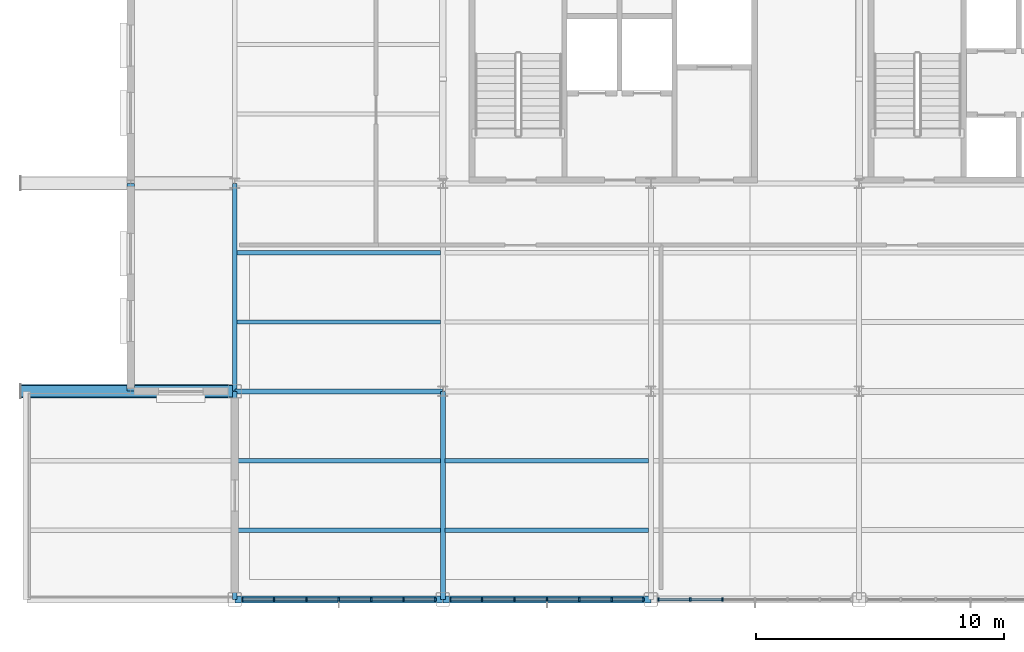
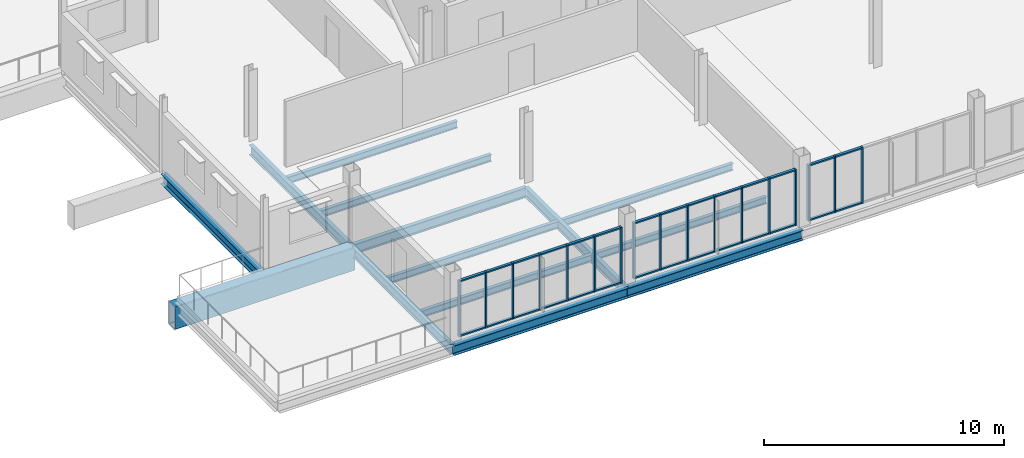
# One storey, part 4 of 18: 45 members, 14 beams, 3 elements without a shape of their own.
"""IFC4 building model written with IfcOpenShell, lengths in metres."""

from ifc_helpers import new_model, si_unit, direction, frame, origin, origin_2d, place, context, subcontext, project, spatial, rectangle, hollow_rectangle, i_section, extrude, material, layer, layer_set, material_profile, profile_set, type_object, element, aggregate, save


model = new_model("IFC4")

# Units and contexts
model_context = context("Model", 3, precision=1e-05, world=origin(), true_north=direction((0.0, 1.0)))
body_context = subcontext(model_context, "Body", "Model", "MODEL_VIEW")
ifc_project = project(units=[si_unit("LENGTHUNIT", "METRE"), si_unit("AREAUNIT", "SQUARE_METRE"), si_unit("VOLUMEUNIT", "CUBIC_METRE"), si_unit("PLANEANGLEUNIT", "RADIAN"), si_unit("MASSUNIT", "GRAM", prefix="KILO")], contexts=[model_context])

# Site, building, storey
site_placement = place(None, origin())
site = spatial("IfcSite", under=ifc_project, at=site_placement, CompositionType="ELEMENT")
building_placement = place(site_placement, origin())
building = spatial("IfcBuilding", under=site, at=building_placement, Name="Yukiwa Park Conservatory and Herbarium", CompositionType="ELEMENT")
storey_placement = place(building_placement, frame((0.0, 0.0, 21.0)))
storey = spatial("IfcBuildingStorey", under=building, at=storey_placement, Name="L05", CompositionType="ELEMENT", Elevation=21.0)

# Beams
ifc_material_1 = material(Name="Steel Q355D", Category="steel")
ifc_material_profile_1 = material_profile(ifc_material_1, i_section(OverallWidth=0.199951171875, OverallDepth=0.5, WebThickness=0.010009765625, FlangeThickness=0.01611328125, FilletRadius=0.02001953125, at=origin_2d()), Name="HN 500x200x10x16")
ifc_profile_set_1 = profile_set([ifc_material_profile_1], Name="Steel Q355D")
beam_type_1 = type_object("IfcBeamType", Name="BM-GRD-HN500", PredefinedType="BEAM", material=ifc_profile_set_1)
beam_1_placement = place(storey_placement, frame((124.805908203125, 86.39990234375, -0.550048828125), z_axis=(1.0, 0.0, 0.0), x_axis=(0.0, 1.0, 0.0)))
element("IfcBeam", 1, at=beam_1_placement, inside=storey, type_object=beam_type_1, Name="L05 grid beam X-7", PredefinedType="BEAM", context=body_context, shape_type="SweptSolid", body=[
    extrude(i_section(OverallWidth=0.199951171875, OverallDepth=0.5, WebThickness=0.010009765625, FlangeThickness=0.01611328125, FilletRadius=0.02001953125, at=origin_2d()), origin(), (0.0, 0.0, 1.0), 8.38818359375),
])
for number, where, z_axis, x_axis, name in (
    (2, (124.800048828125, 78.006103515625, -0.550048828125), (0.0, 1.0, 0.0), (-1.0, 0.0, 0.0), "L05 grid girder Y-32"),
    (3, (124.800048828125, 86.406005859375, -0.550048828125), (0.0, 1.0, 0.0), (-1.0, 0.0, 0.0), "L05 grid girder Y-33"),
    (4, (133.199951171875, 78.006103515625, -0.550048828125), (0.0, 1.0, 0.0), (-1.0, 0.0, 0.0), "L05 grid girder Y-36"),
):
    element("IfcBeam", number, at=place(storey_placement, frame(where, z_axis=z_axis, x_axis=x_axis)), inside=storey, type_object=beam_type_1, Name=name, PredefinedType="BEAM", context=body_context, shape_type="SweptSolid", body=[
        extrude(i_section(OverallWidth=0.199951171875, OverallDepth=0.5, WebThickness=0.010009765625, FlangeThickness=0.01611328125, FilletRadius=0.02001953125, at=origin_2d()), origin(), (0.0, 0.0, 1.0), 8.387939453125),
    ])
ifc_material_2 = material(Name="Steel Q355D", Category="steel")
ifc_material_profile_2 = material_profile(ifc_material_2, i_section(OverallWidth=0.175048828125, OverallDepth=0.35009765625, WebThickness=0.007080078125, FlangeThickness=0.010986328125, FilletRadius=0.013916015625, at=origin_2d()), Name="HN 350x175x7x11")
ifc_profile_set_2 = profile_set([ifc_material_profile_2], Name="Steel Q355D")
beam_type_2 = type_object("IfcBeamType", Name="BM-JST-HN350", PredefinedType="JOIST", material=ifc_profile_set_2)
for number, where, z_axis, x_axis, name in (
    (5, (124.89599609375, 80.800048828125, -0.47509765625), (1.0, 0.0, 0.0), (0.0, 1.0, 0.0), "L05 composite floor joist 5"),
    (6, (124.89599609375, 83.60009765625, -0.47509765625), (1.0, 0.0, 0.0), (0.0, 1.0, 0.0), "L05 composite floor joist 6"),
    (7, (124.89599609375, 89.199951171875, -0.47509765625), (1.0, 0.0, 0.0), (0.0, 1.0, 0.0), "L05 composite floor joist 7"),
    (8, (124.89599609375, 92.0, -0.47509765625), (1.0, 0.0, 0.0), (0.0, 1.0, 0.0), "L05 composite floor joist 8"),
    (9, (133.2958984375, 80.800048828125, -0.47509765625), (1.0, 0.0, 0.0), (0.0, 1.0, 0.0), "L05 composite floor joist 13"),
    (10, (133.2958984375, 83.60009765625, -0.47509765625), (1.0, 0.0, 0.0), (0.0, 1.0, 0.0), "L05 composite floor joist 14"),
):
    element("IfcBeam", number, at=place(storey_placement, frame(where, z_axis=z_axis, x_axis=x_axis)), inside=storey, type_object=beam_type_2, Name=name, PredefinedType="JOIST", context=body_context, shape_type="SweptSolid", body=[
        extrude(i_section(OverallWidth=0.175048828125, OverallDepth=0.35009765625, WebThickness=0.007080078125, FlangeThickness=0.010986328125, FilletRadius=0.013916015625, at=origin_2d()), origin(), (0.0, 0.0, 1.0), 8.2080078125),
    ])
ifc_material_3 = material(Name="Steel Q355D", Category="steel")
ifc_material_profile_3 = material_profile(ifc_material_3, i_section(OverallWidth=0.300048828125, OverallDepth=0.5, WebThickness=0.010986328125, FlangeThickness=0.01806640625, FilletRadius=0.02392578125, at=origin_2d()), Name="HM 500x300x11x18")
ifc_profile_set_3 = profile_set([ifc_material_profile_3], Name="Steel Q355D")
beam_type_3 = type_object("IfcBeamType", Name="BM-SPN-HN500", PredefinedType="SPANDREL", material=ifc_profile_set_3)
beam_2_placement = place(storey_placement, frame((124.805908203125, 78.0, -0.550048828125), z_axis=(1.0, 0.0, 0.0), x_axis=(0.0, 1.0, 0.0)))
element("IfcBeam", 11, at=beam_2_placement, inside=storey, type_object=beam_type_3, Name="L05 spandrel beam X-2", PredefinedType="SPANDREL", context=body_context, shape_type="SweptSolid", body=[
    extrude(i_section(OverallWidth=0.300048828125, OverallDepth=0.5, WebThickness=0.010986328125, FlangeThickness=0.01806640625, FilletRadius=0.02392578125, at=origin_2d()), origin(), (0.0, 0.0, 1.0), 8.38818359375),
])
for number, where, z_axis, x_axis, name in (
    (12, (133.2060546875, 78.0, -0.550048828125), (1.0, 0.0, 0.0), (0.0, 1.0, 0.0), "L05 spandrel beam X-3"),
    (13, (120.60009765625, 86.406005859375, -0.550048828125), (0.0, 1.0, 0.0), (-1.0, 0.0, 0.0), "L05 spandrel girder Y-30"),
):
    element("IfcBeam", number, at=place(storey_placement, frame(where, z_axis=z_axis, x_axis=x_axis)), inside=storey, type_object=beam_type_3, Name=name, PredefinedType="SPANDREL", context=body_context, shape_type="SweptSolid", body=[
        extrude(i_section(OverallWidth=0.300048828125, OverallDepth=0.5, WebThickness=0.010986328125, FlangeThickness=0.01806640625, FilletRadius=0.02392578125, at=origin_2d()), origin(), (0.0, 0.0, 1.0), 8.387939453125),
    ])
ifc_material_4 = material(Name="Steel Q355D", Category="steel")
ifc_material_profile_4 = material_profile(ifc_material_4, hollow_rectangle(XDim=0.550048828125, YDim=1.199951171875, WallThickness=0.035888671875, InnerFilletRadius=0.035888671875, OuterFilletRadius=0.072021484375, at=origin_2d()), Name="BOX 1200x550x36")
ifc_profile_set_4 = profile_set([ifc_material_profile_4], Name="Steel Q355D")
beam_type_4 = type_object("IfcBeamType", Name="BM-TG1-1200", PredefinedType="BEAM", material=ifc_profile_set_4)
beam_3_placement = place(storey_placement, frame((116.155029296875, 86.39990234375, -0.89990234375), z_axis=(1.0, 0.0, 0.0), x_axis=(0.0, 1.0, 0.0)))
element("IfcBeam", 14, at=beam_3_placement, inside=storey, type_object=beam_type_4, Name="Transfer girder TG-1.1 at L05 west setback", PredefinedType="BEAM", context=body_context, shape_type="SweptSolid", body=[
    extrude(hollow_rectangle(XDim=0.550048828125, YDim=1.199951171875, WallThickness=0.035888671875, InnerFilletRadius=0.035888671875, OuterFilletRadius=0.072021484375, at=origin_2d()), origin(), (0.0, 0.0, 1.0), 8.638916015625),
])

# Curtain wall, members
ifc_material_5 = material(Name="Triple Low-E Insulated Glass", Category="glass")
ifc_layer = layer(ifc_material_5, 0.248046875)
ifc_layer_set = layer_set([ifc_layer], Name="Triple Low-E Insulated Glass")
curtain_wall_type = type_object("IfcCurtainWallType", Name="CW-TOWER-LAB-S-1400", PredefinedType="NOTDEFINED", material=ifc_layer_set)
curtain_wall_1_placement = place(storey_placement, origin())
curtain_wall_1 = element("IfcCurtainWall", 15, at=curtain_wall_1_placement, inside=storey, type_object=curtain_wall_type, Name="L05 unitised curtain wall CW-L05-076", PredefinedType="NOTDEFINED")
ifc_material_6 = material(Name="Anodised Aluminium", Category="aluminium")
member_type_1 = type_object("IfcMemberType", Name="MB-CW-MUL-70X150", PredefinedType="MULLION", material=ifc_material_6)
member_1_placement = place(storey_placement, frame((125.110107421875, 78.0, 0.0), z_axis=(0.0, 0.0, 1.0), x_axis=(1.0, 0.0, 0.0)))
member_1 = element("IfcMember", 16, at=member_1_placement, type_object=member_type_1, Name="CW-L05-076 mullion 1", PredefinedType="MULLION", context=body_context, shape_type="SweptSolid", body=[
    extrude(rectangle(XDim=0.070068359375, YDim=0.14990234375, at=origin_2d()), origin(), (0.0, 0.0, 1.0), 2.85009765625),
])
member_2_placement = place(storey_placement, frame((126.38330078125, 78.0, 0.0), z_axis=(0.0, 0.0, 1.0), x_axis=(1.0, 0.0, 0.0)))
member_2 = element("IfcMember", 17, at=member_2_placement, type_object=member_type_1, Name="CW-L05-076 mullion 2", PredefinedType="MULLION", context=body_context, shape_type="SweptSolid", body=[
    extrude(rectangle(XDim=0.070068359375, YDim=0.14990234375, at=origin_2d()), origin(), (0.0, 0.0, 1.0), 2.85009765625),
])
member_3_placement = place(storey_placement, frame((127.691650390625, 78.0, 0.0), z_axis=(0.0, 0.0, 1.0), x_axis=(1.0, 0.0, 0.0)))
member_3 = element("IfcMember", 18, at=member_3_placement, type_object=member_type_1, Name="CW-L05-076 mullion 3", PredefinedType="MULLION", context=body_context, shape_type="SweptSolid", body=[
    extrude(rectangle(XDim=0.070068359375, YDim=0.14990234375, at=origin_2d()), origin(), (0.0, 0.0, 1.0), 2.85009765625),
])
member_4_placement = place(storey_placement, frame((129.0, 78.0, 0.0), z_axis=(0.0, 0.0, 1.0), x_axis=(1.0, 0.0, 0.0)))
member_4 = element("IfcMember", 19, at=member_4_placement, type_object=member_type_1, Name="CW-L05-076 mullion 4", PredefinedType="MULLION", context=body_context, shape_type="SweptSolid", body=[
    extrude(rectangle(XDim=0.070068359375, YDim=0.14990234375, at=origin_2d()), origin(), (0.0, 0.0, 1.0), 2.85009765625),
])
member_5_placement = place(storey_placement, frame((130.308349609375, 78.0, 0.0), z_axis=(0.0, 0.0, 1.0), x_axis=(1.0, 0.0, 0.0)))
member_5 = element("IfcMember", 20, at=member_5_placement, type_object=member_type_1, Name="CW-L05-076 mullion 5", PredefinedType="MULLION", context=body_context, shape_type="SweptSolid", body=[
    extrude(rectangle(XDim=0.070068359375, YDim=0.14990234375, at=origin_2d()), origin(), (0.0, 0.0, 1.0), 2.85009765625),
])
member_6_placement = place(storey_placement, frame((131.61669921875, 78.0, 0.0), z_axis=(0.0, 0.0, 1.0), x_axis=(1.0, 0.0, 0.0)))
member_6 = element("IfcMember", 21, at=member_6_placement, type_object=member_type_1, Name="CW-L05-076 mullion 6", PredefinedType="MULLION", context=body_context, shape_type="SweptSolid", body=[
    extrude(rectangle(XDim=0.070068359375, YDim=0.14990234375, at=origin_2d()), origin(), (0.0, 0.0, 1.0), 2.85009765625),
])
member_7_placement = place(storey_placement, frame((132.889892578125, 78.0, 0.0), z_axis=(0.0, 0.0, 1.0), x_axis=(1.0, 0.0, 0.0)))
member_7 = element("IfcMember", 22, at=member_7_placement, type_object=member_type_1, Name="CW-L05-076 mullion 7", PredefinedType="MULLION", context=body_context, shape_type="SweptSolid", body=[
    extrude(rectangle(XDim=0.070068359375, YDim=0.14990234375, at=origin_2d()), origin(), (0.0, 0.0, 1.0), 2.85009765625),
])

curtain_wall_2_placement = place(storey_placement, origin())
curtain_wall_2 = element("IfcCurtainWall", 23, at=curtain_wall_2_placement, inside=storey, type_object=curtain_wall_type, Name="L05 unitised curtain wall CW-L05-077", PredefinedType="NOTDEFINED")
member_8_placement = place(storey_placement, frame((133.510009765625, 78.0, 0.0), z_axis=(0.0, 0.0, 1.0), x_axis=(1.0, 0.0, 0.0)))
member_8 = element("IfcMember", 24, at=member_8_placement, type_object=member_type_1, Name="CW-L05-077 mullion 1", PredefinedType="MULLION", context=body_context, shape_type="SweptSolid", body=[
    extrude(rectangle(XDim=0.070068359375, YDim=0.14990234375, at=origin_2d()), origin(), (0.0, 0.0, 1.0), 2.85009765625),
])
member_9_placement = place(storey_placement, frame((134.783203125, 78.0, 0.0), z_axis=(0.0, 0.0, 1.0), x_axis=(1.0, 0.0, 0.0)))
member_9 = element("IfcMember", 25, at=member_9_placement, type_object=member_type_1, Name="CW-L05-077 mullion 2", PredefinedType="MULLION", context=body_context, shape_type="SweptSolid", body=[
    extrude(rectangle(XDim=0.070068359375, YDim=0.14990234375, at=origin_2d()), origin(), (0.0, 0.0, 1.0), 2.85009765625),
])
member_10_placement = place(storey_placement, frame((136.091796875, 78.0, 0.0), z_axis=(0.0, 0.0, 1.0), x_axis=(1.0, 0.0, 0.0)))
member_10 = element("IfcMember", 26, at=member_10_placement, type_object=member_type_1, Name="CW-L05-077 mullion 3", PredefinedType="MULLION", context=body_context, shape_type="SweptSolid", body=[
    extrude(rectangle(XDim=0.070068359375, YDim=0.14990234375, at=origin_2d()), origin(), (0.0, 0.0, 1.0), 2.85009765625),
])
member_11_placement = place(storey_placement, frame((137.39990234375, 78.0, 0.0), z_axis=(0.0, 0.0, 1.0), x_axis=(1.0, 0.0, 0.0)))
member_11 = element("IfcMember", 27, at=member_11_placement, type_object=member_type_1, Name="CW-L05-077 mullion 4", PredefinedType="MULLION", context=body_context, shape_type="SweptSolid", body=[
    extrude(rectangle(XDim=0.070068359375, YDim=0.14990234375, at=origin_2d()), origin(), (0.0, 0.0, 1.0), 2.85009765625),
])
member_12_placement = place(storey_placement, frame((138.708251953125, 78.0, 0.0), z_axis=(0.0, 0.0, 1.0), x_axis=(1.0, 0.0, 0.0)))
member_12 = element("IfcMember", 28, at=member_12_placement, type_object=member_type_1, Name="CW-L05-077 mullion 5", PredefinedType="MULLION", context=body_context, shape_type="SweptSolid", body=[
    extrude(rectangle(XDim=0.070068359375, YDim=0.14990234375, at=origin_2d()), origin(), (0.0, 0.0, 1.0), 2.85009765625),
])
member_13_placement = place(storey_placement, frame((140.0166015625, 78.0, 0.0), z_axis=(0.0, 0.0, 1.0), x_axis=(1.0, 0.0, 0.0)))
member_13 = element("IfcMember", 29, at=member_13_placement, type_object=member_type_1, Name="CW-L05-077 mullion 6", PredefinedType="MULLION", context=body_context, shape_type="SweptSolid", body=[
    extrude(rectangle(XDim=0.070068359375, YDim=0.14990234375, at=origin_2d()), origin(), (0.0, 0.0, 1.0), 2.85009765625),
])
member_14_placement = place(storey_placement, frame((141.2900390625, 78.0, 0.0), z_axis=(0.0, 0.0, 1.0), x_axis=(1.0, 0.0, 0.0)))
member_14 = element("IfcMember", 30, at=member_14_placement, type_object=member_type_1, Name="CW-L05-077 mullion 7", PredefinedType="MULLION", context=body_context, shape_type="SweptSolid", body=[
    extrude(rectangle(XDim=0.070068359375, YDim=0.14990234375, at=origin_2d()), origin(), (0.0, 0.0, 1.0), 2.85009765625),
])

curtain_wall_3_placement = place(storey_placement, origin())
curtain_wall_3 = element("IfcCurtainWall", 31, at=curtain_wall_3_placement, inside=storey, type_object=curtain_wall_type, Name="L05 unitised curtain wall CW-L05-078", PredefinedType="NOTDEFINED")
member_15_placement = place(storey_placement, frame((141.909912109375, 78.0, 0.0), z_axis=(0.0, 0.0, 1.0), x_axis=(1.0, 0.0, 0.0)))
member_15 = element("IfcMember", 32, at=member_15_placement, type_object=member_type_1, Name="CW-L05-078 mullion 1", PredefinedType="MULLION", context=body_context, shape_type="SweptSolid", body=[
    extrude(rectangle(XDim=0.070068359375, YDim=0.14990234375, at=origin_2d()), origin(), (0.0, 0.0, 1.0), 2.85009765625),
])
member_16_placement = place(storey_placement, frame((143.183349609375, 78.0, 0.0), z_axis=(0.0, 0.0, 1.0), x_axis=(1.0, 0.0, 0.0)))
member_16 = element("IfcMember", 33, at=member_16_placement, type_object=member_type_1, Name="CW-L05-078 mullion 2", PredefinedType="MULLION", context=body_context, shape_type="SweptSolid", body=[
    extrude(rectangle(XDim=0.070068359375, YDim=0.14990234375, at=origin_2d()), origin(), (0.0, 0.0, 1.0), 2.85009765625),
])
member_17_placement = place(storey_placement, frame((144.49169921875, 78.0, 0.0), z_axis=(0.0, 0.0, 1.0), x_axis=(1.0, 0.0, 0.0)))
member_17 = element("IfcMember", 34, at=member_17_placement, type_object=member_type_1, Name="CW-L05-078 mullion 3", PredefinedType="MULLION", context=body_context, shape_type="SweptSolid", body=[
    extrude(rectangle(XDim=0.070068359375, YDim=0.14990234375, at=origin_2d()), origin(), (0.0, 0.0, 1.0), 2.85009765625),
])

# Member
ifc_material_7 = material(Name="Anodised Aluminium", Category="aluminium")
member_type_2 = type_object("IfcMemberType", Name="MB-CW-TRN-70X130", PredefinedType="USERDEFINED", material=ifc_material_7)
member_18_placement = place(storey_placement, frame((125.729248046875, 78.0, 0.0), z_axis=(0.0, 0.0, 1.0), x_axis=(1.0, 0.0, 0.0)))
member_18 = element("IfcMember", 35, at=member_18_placement, type_object=member_type_2, Name="CW-L05-076 transom 1.1", ObjectType="TRANSOM", PredefinedType="USERDEFINED", context=body_context, shape_type="SweptSolid", body=[
    extrude(rectangle(XDim=1.23828125, YDim=0.1298828125, at=origin_2d()), origin(), (0.0, 0.0, 1.0), 0.070068359375),
])

member_19_placement = place(storey_placement, frame((125.729248046875, 78.0, 2.77978515625), z_axis=(0.0, 0.0, 1.0), x_axis=(1.0, 0.0, 0.0)))
member_19 = element("IfcMember", 36, at=member_19_placement, type_object=member_type_2, Name="CW-L05-076 transom 1.2", ObjectType="TRANSOM", PredefinedType="USERDEFINED", context=body_context, shape_type="SweptSolid", body=[
    extrude(rectangle(XDim=1.23828125, YDim=0.1298828125, at=origin_2d()), origin(), (0.0, 0.0, 1.0), 0.070068359375),
])

member_20_placement = place(storey_placement, frame((127.03759765625, 78.0, 0.0), z_axis=(0.0, 0.0, 1.0), x_axis=(1.0, 0.0, 0.0)))
member_20 = element("IfcMember", 37, at=member_20_placement, type_object=member_type_2, Name="CW-L05-076 transom 2.1", ObjectType="TRANSOM", PredefinedType="USERDEFINED", context=body_context, shape_type="SweptSolid", body=[
    extrude(rectangle(XDim=1.23828125, YDim=0.1298828125, at=origin_2d()), origin(), (0.0, 0.0, 1.0), 0.070068359375),
])

member_21_placement = place(storey_placement, frame((127.03759765625, 78.0, 2.77978515625), z_axis=(0.0, 0.0, 1.0), x_axis=(1.0, 0.0, 0.0)))
member_21 = element("IfcMember", 38, at=member_21_placement, type_object=member_type_2, Name="CW-L05-076 transom 2.2", ObjectType="TRANSOM", PredefinedType="USERDEFINED", context=body_context, shape_type="SweptSolid", body=[
    extrude(rectangle(XDim=1.23828125, YDim=0.1298828125, at=origin_2d()), origin(), (0.0, 0.0, 1.0), 0.070068359375),
])

member_22_placement = place(storey_placement, frame((128.345703125, 78.0, 0.0), z_axis=(0.0, 0.0, 1.0), x_axis=(1.0, 0.0, 0.0)))
member_22 = element("IfcMember", 39, at=member_22_placement, type_object=member_type_2, Name="CW-L05-076 transom 3.1", ObjectType="TRANSOM", PredefinedType="USERDEFINED", context=body_context, shape_type="SweptSolid", body=[
    extrude(rectangle(XDim=1.23828125, YDim=0.1298828125, at=origin_2d()), origin(), (0.0, 0.0, 1.0), 0.070068359375),
])

member_23_placement = place(storey_placement, frame((128.345703125, 78.0, 2.77978515625), z_axis=(0.0, 0.0, 1.0), x_axis=(1.0, 0.0, 0.0)))
member_23 = element("IfcMember", 40, at=member_23_placement, type_object=member_type_2, Name="CW-L05-076 transom 3.2", ObjectType="TRANSOM", PredefinedType="USERDEFINED", context=body_context, shape_type="SweptSolid", body=[
    extrude(rectangle(XDim=1.23828125, YDim=0.1298828125, at=origin_2d()), origin(), (0.0, 0.0, 1.0), 0.070068359375),
])

member_24_placement = place(storey_placement, frame((129.654296875, 78.0, 0.0), z_axis=(0.0, 0.0, 1.0), x_axis=(1.0, 0.0, 0.0)))
member_24 = element("IfcMember", 41, at=member_24_placement, type_object=member_type_2, Name="CW-L05-076 transom 4.1", ObjectType="TRANSOM", PredefinedType="USERDEFINED", context=body_context, shape_type="SweptSolid", body=[
    extrude(rectangle(XDim=1.23828125, YDim=0.1298828125, at=origin_2d()), origin(), (0.0, 0.0, 1.0), 0.070068359375),
])

member_25_placement = place(storey_placement, frame((129.654296875, 78.0, 2.77978515625), z_axis=(0.0, 0.0, 1.0), x_axis=(1.0, 0.0, 0.0)))
member_25 = element("IfcMember", 42, at=member_25_placement, type_object=member_type_2, Name="CW-L05-076 transom 4.2", ObjectType="TRANSOM", PredefinedType="USERDEFINED", context=body_context, shape_type="SweptSolid", body=[
    extrude(rectangle(XDim=1.23828125, YDim=0.1298828125, at=origin_2d()), origin(), (0.0, 0.0, 1.0), 0.070068359375),
])

member_26_placement = place(storey_placement, frame((130.96240234375, 78.0, 0.0), z_axis=(0.0, 0.0, 1.0), x_axis=(1.0, 0.0, 0.0)))
member_26 = element("IfcMember", 43, at=member_26_placement, type_object=member_type_2, Name="CW-L05-076 transom 5.1", ObjectType="TRANSOM", PredefinedType="USERDEFINED", context=body_context, shape_type="SweptSolid", body=[
    extrude(rectangle(XDim=1.23828125, YDim=0.1298828125, at=origin_2d()), origin(), (0.0, 0.0, 1.0), 0.070068359375),
])

member_27_placement = place(storey_placement, frame((130.96240234375, 78.0, 2.77978515625), z_axis=(0.0, 0.0, 1.0), x_axis=(1.0, 0.0, 0.0)))
member_27 = element("IfcMember", 44, at=member_27_placement, type_object=member_type_2, Name="CW-L05-076 transom 5.2", ObjectType="TRANSOM", PredefinedType="USERDEFINED", context=body_context, shape_type="SweptSolid", body=[
    extrude(rectangle(XDim=1.23828125, YDim=0.1298828125, at=origin_2d()), origin(), (0.0, 0.0, 1.0), 0.070068359375),
])

member_28_placement = place(storey_placement, frame((132.270751953125, 78.0, 0.0), z_axis=(0.0, 0.0, 1.0), x_axis=(1.0, 0.0, 0.0)))
member_28 = element("IfcMember", 45, at=member_28_placement, type_object=member_type_2, Name="CW-L05-076 transom 6.1", ObjectType="TRANSOM", PredefinedType="USERDEFINED", context=body_context, shape_type="SweptSolid", body=[
    extrude(rectangle(XDim=1.23828125, YDim=0.1298828125, at=origin_2d()), origin(), (0.0, 0.0, 1.0), 0.070068359375),
])

member_29_placement = place(storey_placement, frame((132.270751953125, 78.0, 2.77978515625), z_axis=(0.0, 0.0, 1.0), x_axis=(1.0, 0.0, 0.0)))
member_29 = element("IfcMember", 46, at=member_29_placement, type_object=member_type_2, Name="CW-L05-076 transom 6.2", ObjectType="TRANSOM", PredefinedType="USERDEFINED", context=body_context, shape_type="SweptSolid", body=[
    extrude(rectangle(XDim=1.23828125, YDim=0.1298828125, at=origin_2d()), origin(), (0.0, 0.0, 1.0), 0.070068359375),
])

aggregate(curtain_wall_1, [member_1, member_2, member_3, member_4, member_5, member_6, member_7, member_18, member_19, member_20, member_21, member_22, member_23, member_24, member_25, member_26, member_27, member_28, member_29])

member_30_placement = place(storey_placement, frame((134.129150390625, 78.0, 0.0), z_axis=(0.0, 0.0, 1.0), x_axis=(1.0, 0.0, 0.0)))
member_30 = element("IfcMember", 47, at=member_30_placement, type_object=member_type_2, Name="CW-L05-077 transom 1.1", ObjectType="TRANSOM", PredefinedType="USERDEFINED", context=body_context, shape_type="SweptSolid", body=[
    extrude(rectangle(XDim=1.23828125, YDim=0.1298828125, at=origin_2d()), origin(), (0.0, 0.0, 1.0), 0.070068359375),
])

member_31_placement = place(storey_placement, frame((134.129150390625, 78.0, 2.77978515625), z_axis=(0.0, 0.0, 1.0), x_axis=(1.0, 0.0, 0.0)))
member_31 = element("IfcMember", 48, at=member_31_placement, type_object=member_type_2, Name="CW-L05-077 transom 1.2", ObjectType="TRANSOM", PredefinedType="USERDEFINED", context=body_context, shape_type="SweptSolid", body=[
    extrude(rectangle(XDim=1.23828125, YDim=0.1298828125, at=origin_2d()), origin(), (0.0, 0.0, 1.0), 0.070068359375),
])

member_32_placement = place(storey_placement, frame((135.4375, 78.0, 0.0), z_axis=(0.0, 0.0, 1.0), x_axis=(1.0, 0.0, 0.0)))
member_32 = element("IfcMember", 49, at=member_32_placement, type_object=member_type_2, Name="CW-L05-077 transom 2.1", ObjectType="TRANSOM", PredefinedType="USERDEFINED", context=body_context, shape_type="SweptSolid", body=[
    extrude(rectangle(XDim=1.23828125, YDim=0.1298828125, at=origin_2d()), origin(), (0.0, 0.0, 1.0), 0.070068359375),
])

member_33_placement = place(storey_placement, frame((135.4375, 78.0, 2.77978515625), z_axis=(0.0, 0.0, 1.0), x_axis=(1.0, 0.0, 0.0)))
member_33 = element("IfcMember", 50, at=member_33_placement, type_object=member_type_2, Name="CW-L05-077 transom 2.2", ObjectType="TRANSOM", PredefinedType="USERDEFINED", context=body_context, shape_type="SweptSolid", body=[
    extrude(rectangle(XDim=1.23828125, YDim=0.1298828125, at=origin_2d()), origin(), (0.0, 0.0, 1.0), 0.070068359375),
])

member_34_placement = place(storey_placement, frame((136.745849609375, 78.0, 0.0), z_axis=(0.0, 0.0, 1.0), x_axis=(1.0, 0.0, 0.0)))
member_34 = element("IfcMember", 51, at=member_34_placement, type_object=member_type_2, Name="CW-L05-077 transom 3.1", ObjectType="TRANSOM", PredefinedType="USERDEFINED", context=body_context, shape_type="SweptSolid", body=[
    extrude(rectangle(XDim=1.23828125, YDim=0.1298828125, at=origin_2d()), origin(), (0.0, 0.0, 1.0), 0.070068359375),
])

member_35_placement = place(storey_placement, frame((136.745849609375, 78.0, 2.77978515625), z_axis=(0.0, 0.0, 1.0), x_axis=(1.0, 0.0, 0.0)))
member_35 = element("IfcMember", 52, at=member_35_placement, type_object=member_type_2, Name="CW-L05-077 transom 3.2", ObjectType="TRANSOM", PredefinedType="USERDEFINED", context=body_context, shape_type="SweptSolid", body=[
    extrude(rectangle(XDim=1.23828125, YDim=0.1298828125, at=origin_2d()), origin(), (0.0, 0.0, 1.0), 0.070068359375),
])

member_36_placement = place(storey_placement, frame((138.05419921875, 78.0, 0.0), z_axis=(0.0, 0.0, 1.0), x_axis=(1.0, 0.0, 0.0)))
member_36 = element("IfcMember", 53, at=member_36_placement, type_object=member_type_2, Name="CW-L05-077 transom 4.1", ObjectType="TRANSOM", PredefinedType="USERDEFINED", context=body_context, shape_type="SweptSolid", body=[
    extrude(rectangle(XDim=1.23828125, YDim=0.1298828125, at=origin_2d()), origin(), (0.0, 0.0, 1.0), 0.070068359375),
])

member_37_placement = place(storey_placement, frame((138.05419921875, 78.0, 2.77978515625), z_axis=(0.0, 0.0, 1.0), x_axis=(1.0, 0.0, 0.0)))
member_37 = element("IfcMember", 54, at=member_37_placement, type_object=member_type_2, Name="CW-L05-077 transom 4.2", ObjectType="TRANSOM", PredefinedType="USERDEFINED", context=body_context, shape_type="SweptSolid", body=[
    extrude(rectangle(XDim=1.23828125, YDim=0.1298828125, at=origin_2d()), origin(), (0.0, 0.0, 1.0), 0.070068359375),
])

member_38_placement = place(storey_placement, frame((139.362548828125, 78.0, 0.0), z_axis=(0.0, 0.0, 1.0), x_axis=(1.0, 0.0, 0.0)))
member_38 = element("IfcMember", 55, at=member_38_placement, type_object=member_type_2, Name="CW-L05-077 transom 5.1", ObjectType="TRANSOM", PredefinedType="USERDEFINED", context=body_context, shape_type="SweptSolid", body=[
    extrude(rectangle(XDim=1.23828125, YDim=0.1298828125, at=origin_2d()), origin(), (0.0, 0.0, 1.0), 0.070068359375),
])

member_39_placement = place(storey_placement, frame((139.362548828125, 78.0, 2.77978515625), z_axis=(0.0, 0.0, 1.0), x_axis=(1.0, 0.0, 0.0)))
member_39 = element("IfcMember", 56, at=member_39_placement, type_object=member_type_2, Name="CW-L05-077 transom 5.2", ObjectType="TRANSOM", PredefinedType="USERDEFINED", context=body_context, shape_type="SweptSolid", body=[
    extrude(rectangle(XDim=1.23828125, YDim=0.1298828125, at=origin_2d()), origin(), (0.0, 0.0, 1.0), 0.070068359375),
])

member_40_placement = place(storey_placement, frame((140.6708984375, 78.0, 0.0), z_axis=(0.0, 0.0, 1.0), x_axis=(1.0, 0.0, 0.0)))
member_40 = element("IfcMember", 57, at=member_40_placement, type_object=member_type_2, Name="CW-L05-077 transom 6.1", ObjectType="TRANSOM", PredefinedType="USERDEFINED", context=body_context, shape_type="SweptSolid", body=[
    extrude(rectangle(XDim=1.23828125, YDim=0.1298828125, at=origin_2d()), origin(), (0.0, 0.0, 1.0), 0.070068359375),
])

member_41_placement = place(storey_placement, frame((140.6708984375, 78.0, 2.77978515625), z_axis=(0.0, 0.0, 1.0), x_axis=(1.0, 0.0, 0.0)))
member_41 = element("IfcMember", 58, at=member_41_placement, type_object=member_type_2, Name="CW-L05-077 transom 6.2", ObjectType="TRANSOM", PredefinedType="USERDEFINED", context=body_context, shape_type="SweptSolid", body=[
    extrude(rectangle(XDim=1.23828125, YDim=0.1298828125, at=origin_2d()), origin(), (0.0, 0.0, 1.0), 0.070068359375),
])

aggregate(curtain_wall_2, [member_8, member_9, member_10, member_11, member_12, member_13, member_14, member_30, member_31, member_32, member_33, member_34, member_35, member_36, member_37, member_38, member_39, member_40, member_41])

member_42_placement = place(storey_placement, frame((142.529296875, 78.0, 0.0), z_axis=(0.0, 0.0, 1.0), x_axis=(1.0, 0.0, 0.0)))
member_42 = element("IfcMember", 59, at=member_42_placement, type_object=member_type_2, Name="CW-L05-078 transom 1.1", ObjectType="TRANSOM", PredefinedType="USERDEFINED", context=body_context, shape_type="SweptSolid", body=[
    extrude(rectangle(XDim=1.23828125, YDim=0.1298828125, at=origin_2d()), origin(), (0.0, 0.0, 1.0), 0.070068359375),
])

member_43_placement = place(storey_placement, frame((142.529296875, 78.0, 2.77978515625), z_axis=(0.0, 0.0, 1.0), x_axis=(1.0, 0.0, 0.0)))
member_43 = element("IfcMember", 60, at=member_43_placement, type_object=member_type_2, Name="CW-L05-078 transom 1.2", ObjectType="TRANSOM", PredefinedType="USERDEFINED", context=body_context, shape_type="SweptSolid", body=[
    extrude(rectangle(XDim=1.23828125, YDim=0.1298828125, at=origin_2d()), origin(), (0.0, 0.0, 1.0), 0.070068359375),
])

member_44_placement = place(storey_placement, frame((143.83740234375, 78.0, 0.0), z_axis=(0.0, 0.0, 1.0), x_axis=(1.0, 0.0, 0.0)))
member_44 = element("IfcMember", 61, at=member_44_placement, type_object=member_type_2, Name="CW-L05-078 transom 2.1", ObjectType="TRANSOM", PredefinedType="USERDEFINED", context=body_context, shape_type="SweptSolid", body=[
    extrude(rectangle(XDim=1.23828125, YDim=0.1298828125, at=origin_2d()), origin(), (0.0, 0.0, 1.0), 0.070068359375),
])

member_45_placement = place(storey_placement, frame((143.83740234375, 78.0, 2.77978515625), z_axis=(0.0, 0.0, 1.0), x_axis=(1.0, 0.0, 0.0)))
member_45 = element("IfcMember", 62, at=member_45_placement, type_object=member_type_2, Name="CW-L05-078 transom 2.2", ObjectType="TRANSOM", PredefinedType="USERDEFINED", context=body_context, shape_type="SweptSolid", body=[
    extrude(rectangle(XDim=1.23828125, YDim=0.1298828125, at=origin_2d()), origin(), (0.0, 0.0, 1.0), 0.070068359375),
])

aggregate(curtain_wall_3, [member_15, member_16, member_17, member_42, member_43, member_44, member_45])

save(model, "model.ifc")
